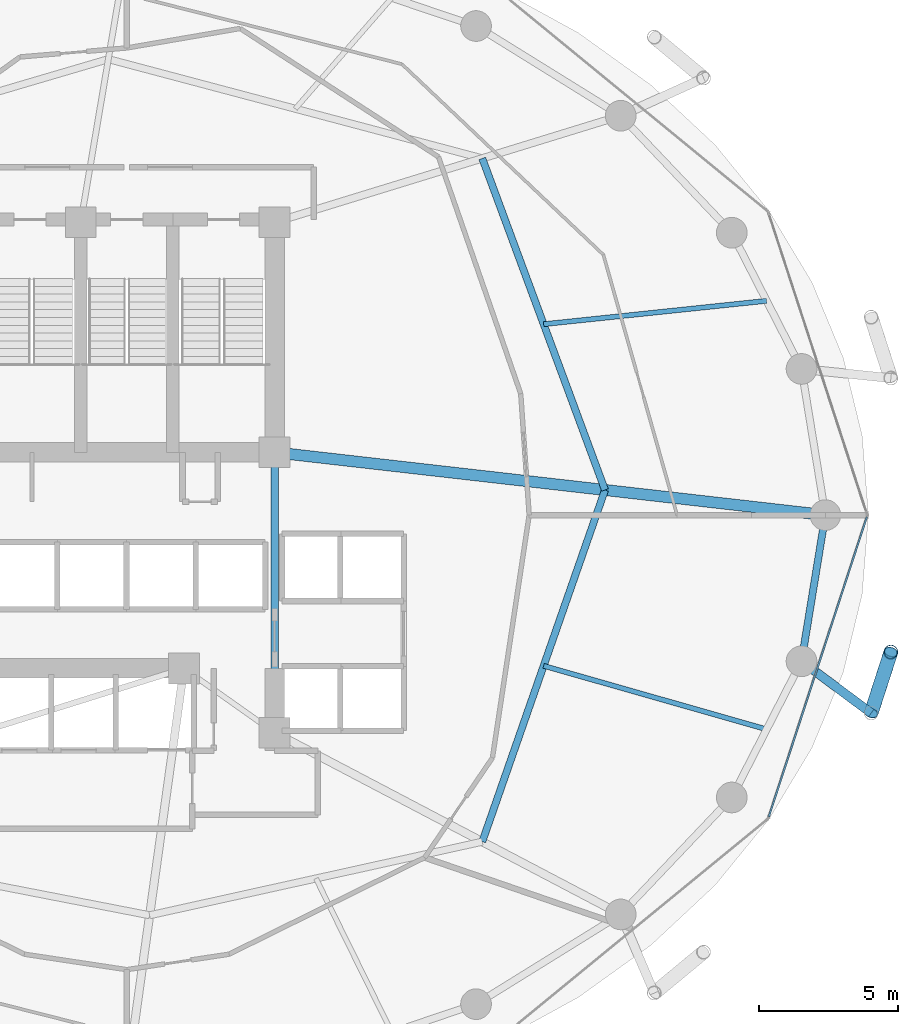
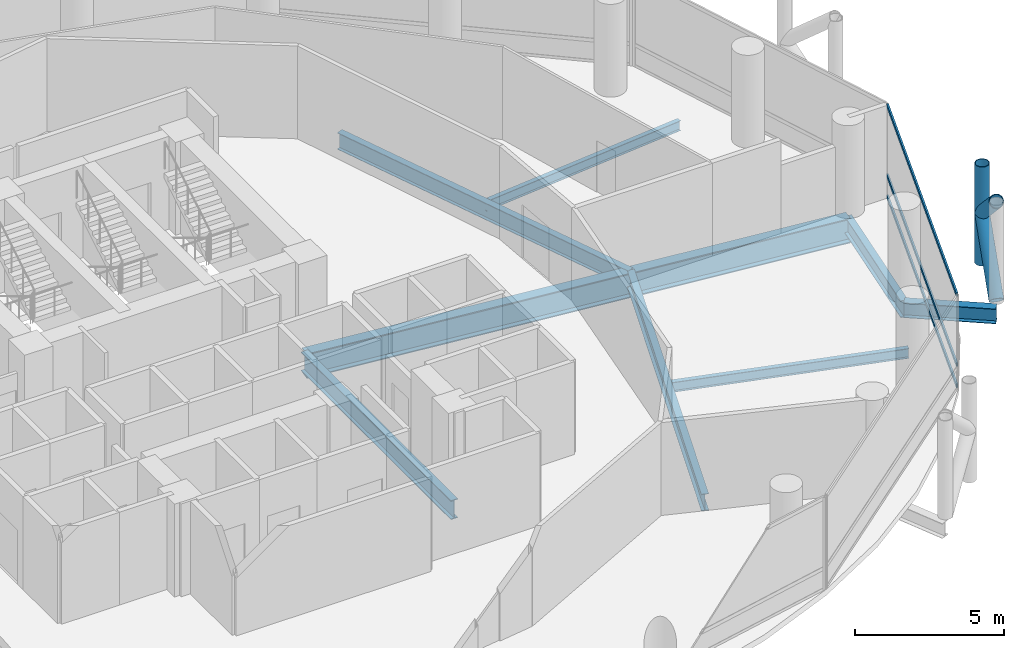
# One storey, part 11 of 24: 8 beams, 6 members, 1 element without a shape of its own.
"""IFC4 building model written with IfcOpenShell, lengths in metres."""

from ifc_helpers import new_model, si_unit, direction, frame, origin, origin_2d, place, context, subcontext, project, spatial, hollow_rectangle, hollow_circle, i_section, extrude, material, layer, layer_set, material_profile, profile_set, type_object, element, aggregate, save


model = new_model("IFC4")

# Units and contexts
model_context = context("Model", 3, precision=1e-05, world=origin(), true_north=direction((0.0, 1.0)))
body_context = subcontext(model_context, "Body", "Model", "MODEL_VIEW")
ifc_project = project(units=[si_unit("LENGTHUNIT", "METRE"), si_unit("AREAUNIT", "SQUARE_METRE"), si_unit("VOLUMEUNIT", "CUBIC_METRE"), si_unit("PLANEANGLEUNIT", "RADIAN"), si_unit("MASSUNIT", "GRAM", prefix="KILO")], contexts=[model_context])

# Site, building, storey
site_placement = place(None, origin())
site = spatial("IfcSite", under=ifc_project, at=site_placement, CompositionType="ELEMENT")
building_placement = place(site_placement, origin())
building = spatial("IfcBuilding", under=site, at=building_placement, Name="Nuhasar Tower", CompositionType="ELEMENT")
storey_placement = place(building_placement, frame((0.0, 0.0, 73.64990234375)))
storey = spatial("IfcBuildingStorey", under=building, at=storey_placement, Name="L17", CompositionType="ELEMENT", Elevation=73.64990234375)

# Beams
ifc_material_1 = material(Name="Steel S355", Category="steel")
ifc_material_profile_1 = material_profile(ifc_material_1, i_section(OverallWidth=0.25390625, OverallDepth=0.68408203125, WebThickness=0.012451171875, FlangeThickness=0.018798828125, at=origin_2d()), Name="W27X94")
ifc_profile_set_1 = profile_set([ifc_material_profile_1], Name="Steel S355")
beam_type_1 = type_object("IfcBeamType", Name="BM-INRING-W27X94", PredefinedType="BEAM", material=ifc_profile_set_1)
beam_1_placement = place(storey_placement, frame((51.748046875, 15.089111328125, -0.591796875), z_axis=(0.329554049858, 0.944136710558, 0.0), x_axis=(-0.944136710558, 0.329554049858, 0.0)))
element("IfcBeam", 1, at=beam_1_placement, inside=storey, type_object=beam_type_1, Name="L17 Inner Header Beam 03", PredefinedType="BEAM", context=body_context, shape_type="SweptSolid", body=[
    extrude(i_section(OverallWidth=0.25390625, OverallDepth=0.68408203125, WebThickness=0.012451171875, FlangeThickness=0.018798828125, at=origin_2d()), origin(), (0.0, 0.0, 1.0), 13.35693359375),
])
beam_2_placement = place(storey_placement, frame((56.14990234375, 27.699951171875, -0.591796875), z_axis=(-0.34715757476, 0.937806812881, 0.0), x_axis=(-0.937806812881, -0.34715757476, 0.0)))
element("IfcBeam", 2, at=beam_2_placement, inside=storey, type_object=beam_type_1, Name="L17 Inner Header Beam 04", PredefinedType="BEAM", context=body_context, shape_type="SweptSolid", body=[
    extrude(i_section(OverallWidth=0.25390625, OverallDepth=0.68408203125, WebThickness=0.012451171875, FlangeThickness=0.018798828125, at=origin_2d()), origin(), (0.0, 0.0, 1.0), 12.6796875),
])
ifc_material_profile_2 = material_profile(ifc_material_1, i_section(OverallWidth=0.177978515625, OverallDepth=0.406005859375, WebThickness=0.0078125, FlangeThickness=0.0126953125, at=origin_2d()), Name="W16X40")
ifc_profile_set_2 = profile_set([ifc_material_profile_2], Name="Steel S355")
beam_type_2 = type_object("IfcBeamType", Name="BM-JST-W16X40", PredefinedType="JOIST", material=ifc_profile_set_2)
beam_3_placement = place(storey_placement, frame((53.948974609375, 21.39501953125, -0.452880859375), z_axis=(0.961730884496, -0.273995813484, 0.0), x_axis=(0.273995813484, 0.961730884496, 0.0)))
element("IfcBeam", 3, at=beam_3_placement, inside=storey, type_object=beam_type_2, Name="L17 Secondary Floor Joist 03", PredefinedType="JOIST", context=body_context, shape_type="SweptSolid", body=[
    extrude(i_section(OverallWidth=0.177978515625, OverallDepth=0.406005859375, WebThickness=0.0078125, FlangeThickness=0.0126953125, at=origin_2d()), origin(), (0.0, 0.0, 1.0), 8.314208984375),
])
beam_4_placement = place(storey_placement, frame((53.948974609375, 33.64501953125, -0.452880859375), z_axis=(0.994554594377, 0.104216883485, 0.0), x_axis=(-0.104216883485, 0.994554594377, 0.0)))
element("IfcBeam", 4, at=beam_4_placement, inside=storey, type_object=beam_type_2, Name="L17 Secondary Floor Joist 04", PredefinedType="JOIST", context=body_context, shape_type="SweptSolid", body=[
    extrude(i_section(OverallWidth=0.177978515625, OverallDepth=0.406005859375, WebThickness=0.0078125, FlangeThickness=0.0126953125, at=origin_2d()), origin(), (0.0, 0.0, 1.0), 8.039794921875),
])
ifc_material_profile_3 = material_profile(ifc_material_1, i_section(OverallWidth=0.26611328125, OverallDepth=0.779052734375, WebThickness=0.0166015625, FlangeThickness=0.030029296875, at=origin_2d()), Name="W30X148")
ifc_profile_set_3 = profile_set([ifc_material_profile_3], Name="Steel S355")
beam_type_3 = type_object("IfcBeamType", Name="BM-RAD-W30X148", PredefinedType="BEAM", material=ifc_profile_set_3)
beam_5_placement = place(storey_placement, frame((44.300048828125, 19.0, -0.638916015625), z_axis=(0.0, 1.0, 0.0), x_axis=(-1.0, 0.0, 0.0)))
element("IfcBeam", 5, at=beam_5_placement, inside=storey, type_object=beam_type_3, Name="L17 Core Ring Girder 3", PredefinedType="BEAM", context=body_context, shape_type="SweptSolid", body=[
    extrude(i_section(OverallWidth=0.26611328125, OverallDepth=0.779052734375, WebThickness=0.0166015625, FlangeThickness=0.030029296875, at=origin_2d()), origin(), (0.0, 0.0, 1.0), 10.050048828125),
])
ifc_material_profile_4 = material_profile(ifc_material_1, i_section(OverallWidth=0.256103515625, OverallDepth=0.693115234375, WebThickness=0.014404296875, FlangeThickness=0.023681640625, at=origin_2d()), Name="W27X114")
ifc_profile_set_4 = profile_set([ifc_material_profile_4], Name="Steel S355")
beam_type_4 = type_object("IfcBeamType", Name="BM-RING-W27X114", PredefinedType="SPANDREL", material=ifc_profile_set_4)
beam_6_placement = place(storey_placement, frame((63.196044921875, 21.55908203125, -0.596923828125), z_axis=(0.160826635486, 0.986982671235, 0.0), x_axis=(-0.986982671235, 0.160826635486, 0.0)))
element("IfcBeam", 6, at=beam_6_placement, inside=storey, type_object=beam_type_4, Name="L17 Perimeter Ring Spandrel 24", PredefinedType="SPANDREL", context=body_context, shape_type="SweptSolid", body=[
    extrude(i_section(OverallWidth=0.256103515625, OverallDepth=0.693115234375, WebThickness=0.014404296875, FlangeThickness=0.023681640625, at=origin_2d()), origin(), (0.0, 0.0, 1.0), 5.31005859375),
])
ifc_material_profile_5 = material_profile(ifc_material_1, i_section(OverallWidth=0.323974609375, OverallDepth=0.611083984375, WebThickness=0.0126953125, FlangeThickness=0.01904296875, at=origin_2d()), Name="W24X104")
ifc_profile_set_5 = profile_set([ifc_material_profile_5], Name="Steel S355")
beam_type_5 = type_object("IfcBeamType", Name="BM-TIE-W24X104", PredefinedType="BEAM", material=ifc_profile_set_5)
beam_7_placement = place(storey_placement, frame((63.196044921875, 21.55908203125, -0.554931640625), z_axis=(0.802113478067, -0.597171640572, 0.0), x_axis=(0.597171640572, 0.802113478067, 0.0)))
element("IfcBeam", 7, at=beam_7_placement, inside=storey, type_object=beam_type_5, Name="L17 Exoskeleton Node Tie Beam 12", PredefinedType="BEAM", context=body_context, shape_type="SweptSolid", body=[
    extrude(i_section(OverallWidth=0.323974609375, OverallDepth=0.611083984375, WebThickness=0.0126953125, FlangeThickness=0.01904296875, at=origin_2d()), origin(), (0.0, 0.0, 1.0), 3.111572265625),
])
ifc_material_2 = material(Name="Steel S460", Category="steel")
ifc_material_profile_6 = material_profile(ifc_material_2, i_section(OverallWidth=0.40087890625, OverallDepth=1.010009765625, WebThickness=0.023681640625, FlangeThickness=0.0419921875, at=origin_2d()), Name="W40X297")
ifc_profile_set_6 = profile_set([ifc_material_profile_6], Name="Steel S460")
beam_type_6 = type_object("IfcBeamType", Name="BM-XFER-W40X297", PredefinedType="USERDEFINED", material=ifc_profile_set_6)
beam_8_placement = place(storey_placement, frame((44.300048828125, 29.050048828125, -0.7548828125), z_axis=(0.993573147212, -0.113191877531, 0.0), x_axis=(0.113191877531, 0.993573147212, 0.0)))
element("IfcBeam", 8, at=beam_8_placement, inside=storey, type_object=beam_type_6, Name="L17 Radial Floor Girder 04", ObjectType="GIRDER", PredefinedType="USERDEFINED", context=body_context, shape_type="SweptSolid", body=[
    extrude(i_section(OverallWidth=0.40087890625, OverallDepth=1.010009765625, WebThickness=0.023681640625, FlangeThickness=0.0419921875, at=origin_2d()), origin(), (0.0, 0.0, 1.0), 19.877685546875),
])

# Curtain wall, members
ifc_material_3 = material(Name="Aluminium 6063-T6", Category="aluminium")
ifc_layer = layer(ifc_material_3, 0.199951171875)
ifc_layer_set = layer_set([ifc_layer], Name="Aluminium 6063-T6")
curtain_wall_type = type_object("IfcCurtainWallType", Name="CW-Z1-OFF", PredefinedType="NOTDEFINED", material=ifc_layer_set)
curtain_wall_placement = place(storey_placement, origin())
curtain_wall = element("IfcCurtainWall", 9, at=curtain_wall_placement, inside=storey, type_object=curtain_wall_type, Name="L17 Unitised Curtain Wall 12", PredefinedType="NOTDEFINED")
ifc_material_profile_7 = material_profile(ifc_material_3, hollow_rectangle(XDim=0.06494140625, YDim=0.14990234375, WallThickness=0.00439453125, at=origin_2d()), Name="CWT-2")
ifc_profile_set_7 = profile_set([ifc_material_profile_7], Name="Aluminium 6063-T6")
member_type_1 = type_object("IfcMemberType", Name="CW-TRN-S2", PredefinedType="USERDEFINED", material=ifc_profile_set_7)
member_1_placement = place(storey_placement, frame((62.022216796875, 15.981689453125, 0.03271484375), z_axis=(0.310818687697, 0.950469222741, 0.0), x_axis=(-0.950469222741, 0.310818687697, 0.0)))
member_1 = element("IfcMember", 10, at=member_1_placement, type_object=member_type_1, Name="CW-Z1 transom 1.1", ObjectType="TRANSOM", PredefinedType="USERDEFINED", context=body_context, shape_type="SweptSolid", body=[
    extrude(hollow_rectangle(XDim=0.06494140625, YDim=0.14990234375, WallThickness=0.00439453125, at=origin_2d()), origin(), (0.0, 0.0, 1.0), 11.317138671875),
])
member_2_placement = place(storey_placement, frame((62.022216796875, 15.981689453125, 0.900146484375), z_axis=(0.310818687697, 0.950469222741, 0.0), x_axis=(-0.950469222741, 0.310818687697, 0.0)))
member_2 = element("IfcMember", 11, at=member_2_placement, type_object=member_type_1, Name="CW-Z1 transom 1.2", ObjectType="TRANSOM", PredefinedType="USERDEFINED", context=body_context, shape_type="SweptSolid", body=[
    extrude(hollow_rectangle(XDim=0.06494140625, YDim=0.14990234375, WallThickness=0.00439453125, at=origin_2d()), origin(), (0.0, 0.0, 1.0), 11.317138671875),
])
member_3_placement = place(storey_placement, frame((62.022216796875, 15.981689453125, 3.767578125), z_axis=(0.310818687697, 0.950469222741, 0.0), x_axis=(-0.950469222741, 0.310818687697, 0.0)))
member_3 = element("IfcMember", 12, at=member_3_placement, type_object=member_type_1, Name="CW-Z1 transom 1.3", ObjectType="TRANSOM", PredefinedType="USERDEFINED", context=body_context, shape_type="SweptSolid", body=[
    extrude(hollow_rectangle(XDim=0.06494140625, YDim=0.14990234375, WallThickness=0.00439453125, at=origin_2d()), origin(), (0.0, 0.0, 1.0), 11.317138671875),
])
aggregate(curtain_wall, [member_1, member_2, member_3])

# Members
ifc_material_profile_8 = material_profile(ifc_material_2, hollow_circle(Radius=0.25390625, WallThickness=0.025390625, at=origin_2d()), Name="HSS508X25.4")
ifc_profile_set_8 = profile_set([ifc_material_profile_8], Name="Steel S460")
member_type_2 = type_object("IfcMemberType", Name="EXO-BRONZE-508", PredefinedType="BRACE", material=ifc_profile_set_8)
member_4_placement = place(storey_placement, frame((66.39990234375, 21.889892578125, 0.0), z_axis=(0.0, 0.0, 1.0), x_axis=(1.0, 0.0, 0.0)))
element("IfcMember", 13, at=member_4_placement, inside=storey, type_object=member_type_2, Name="L17 Exoskeleton Chord Column EC-12B", PredefinedType="BRACE", context=body_context, shape_type="SweptSolid", body=[
    extrude(hollow_circle(Radius=0.25390625, WallThickness=0.025390625, at=origin_2d()), origin(), (0.0, 0.0, 1.0), 4.050048828125),
])
member_5_placement = place(storey_placement, frame((65.69189453125, 19.700927734375, 0.0), z_axis=(0.230999678299, 0.714187281251, 0.660738734997), x_axis=(-0.951468282519, 0.307746823478, 0.0)))
element("IfcMember", 14, at=member_5_placement, inside=storey, type_object=member_type_2, Name="L17 Bronze Diagrid Brace W1-12", PredefinedType="BRACE", context=body_context, shape_type="SweptSolid", body=[
    extrude(hollow_circle(Radius=0.25390625, WallThickness=0.025390625, at=origin_2d()), origin(), (0.0, 0.0, 1.0), 3.06494140625),
])
member_6_placement = place(storey_placement, frame((66.39990234375, 21.889892578125, 2.025146484375), z_axis=(-0.231011836313, -0.714224870475, 0.660693851854), x_axis=(0.951468282519, -0.307746823478, 0.0)))
element("IfcMember", 15, at=member_6_placement, inside=storey, type_object=member_type_2, Name="L17 Bronze Diagrid Brace W2-12", PredefinedType="BRACE", context=body_context, shape_type="SweptSolid", body=[
    extrude(hollow_circle(Radius=0.25390625, WallThickness=0.025390625, at=origin_2d()), origin(), (0.0, 0.0, 1.0), 3.064697265625),
])

save(model, "model.ifc")
